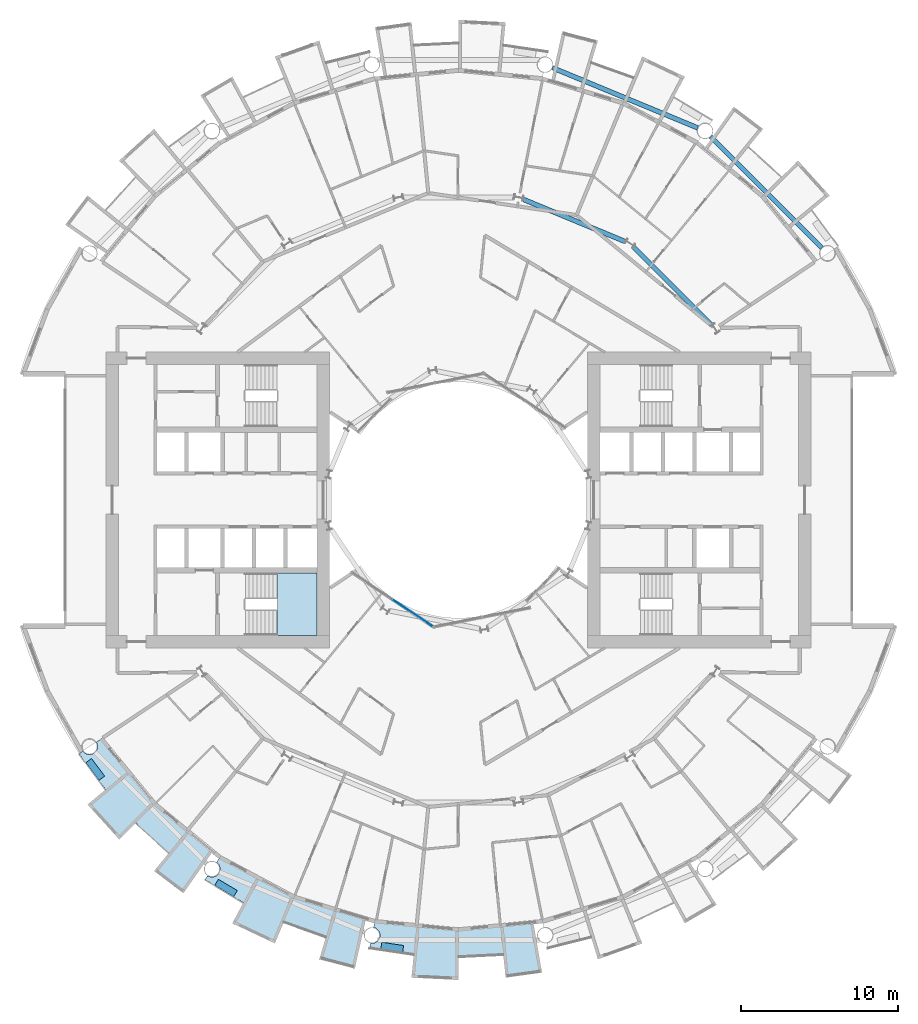
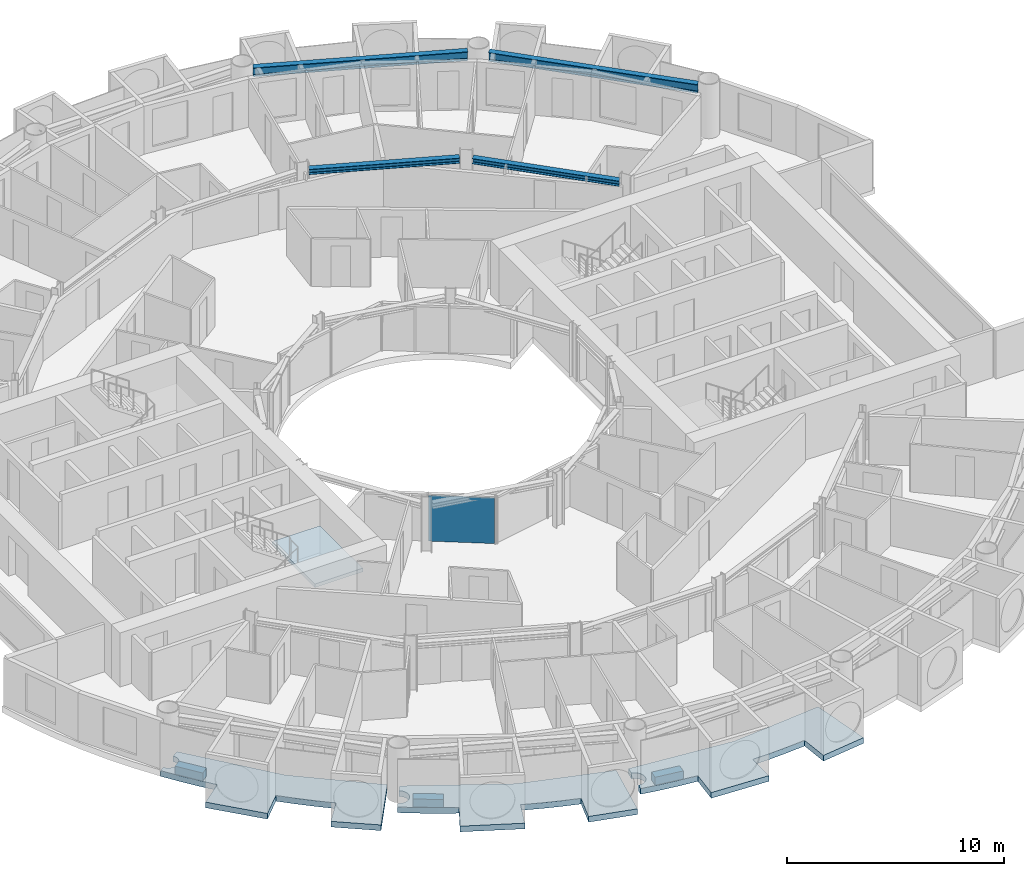
# One storey, part 9 of 26: 7 slabs, 4 beams, 1 plate, 2 elements without a shape of their own.
"""IFC4 building model written with IfcOpenShell, lengths in metres."""

from ifc_helpers import new_model, si_unit, direction, frame, origin, origin_2d, place, context, subcontext, project, spatial, polyline, rectangle, i_section, outline, extrude, material, layer, layer_set, material_profile, profile_set, type_object, element, aggregate, save


model = new_model("IFC4")

# Units and contexts
model_context = context("Model", 3, precision=1e-05, world=origin(), true_north=direction((0.0, 1.0)))
body_context = subcontext(model_context, "Body", "Model", "MODEL_VIEW")
ifc_project = project(units=[si_unit("LENGTHUNIT", "METRE"), si_unit("AREAUNIT", "SQUARE_METRE"), si_unit("VOLUMEUNIT", "CUBIC_METRE"), si_unit("PLANEANGLEUNIT", "RADIAN"), si_unit("MASSUNIT", "GRAM", prefix="KILO")], contexts=[model_context])

# Site, building, storey
site_placement = place(None, origin())
site = spatial("IfcSite", under=ifc_project, at=site_placement, CompositionType="ELEMENT")
building_placement = place(site_placement, origin())
building = spatial("IfcBuilding", under=site, at=building_placement, Name="Maasbend Ring Residences", CompositionType="ELEMENT")
storey_placement = place(building_placement, frame((0.0, 0.0, 50.25)))
storey = spatial("IfcBuildingStorey", under=building, at=storey_placement, Name="L14", CompositionType="ELEMENT", Elevation=50.25)

# Beams
ifc_material_1 = material(Name="Steel S355J2", Category="steel")
ifc_material_profile_1 = material_profile(ifc_material_1, i_section(OverallWidth=0.300048828125, OverallDepth=0.300048828125, WebThickness=0.010986328125, FlangeThickness=0.01904296875, FilletRadius=0.027099609375, at=origin_2d()), Name="HEB 300")
ifc_profile_set_1 = profile_set([ifc_material_profile_1], Name="Steel S355J2")
beam_type_1 = type_object("IfcBeamType", Name="Corridor ring beam HEB 300", PredefinedType="BEAM", material=ifc_profile_set_1)
beam_1_placement = place(storey_placement, frame((16.0732421875, 11.11279296875, 2.550048828125), z_axis=(-0.707106781187, 0.707106781187, 0.0), x_axis=(-0.707106781187, -0.707106781187, 0.0)))
element("IfcBeam", 1, at=beam_1_placement, inside=storey, type_object=beam_type_1, Name="Corridor ring beam", PredefinedType="BEAM", context=body_context, shape_type="SweptSolid", body=[
    extrude(i_section(OverallWidth=0.300048828125, OverallDepth=0.300048828125, WebThickness=0.010986328125, FlangeThickness=0.01904296875, FilletRadius=0.027099609375, at=origin_2d()), origin(), (0.0, 0.0, 1.0), 7.01513671875),
])
beam_2_placement = place(storey_placement, frame((10.59716796875, 16.417724609375, 2.550048828125), z_axis=(-0.923886196809, 0.38266734293, 0.0), x_axis=(-0.38266734293, -0.923886196809, 0.0)))
element("IfcBeam", 2, at=beam_2_placement, inside=storey, type_object=beam_type_1, Name="Corridor ring beam", PredefinedType="BEAM", context=body_context, shape_type="SweptSolid", body=[
    extrude(i_section(OverallWidth=0.300048828125, OverallDepth=0.300048828125, WebThickness=0.010986328125, FlangeThickness=0.01904296875, FilletRadius=0.027099609375, at=origin_2d()), origin(), (0.0, 0.0, 1.0), 7.015380859375),
])
ifc_material_2 = material(Name="Steel S355J2", Category="steel")
ifc_material_profile_2 = material_profile(ifc_material_2, i_section(OverallWidth=0.300048828125, OverallDepth=0.5, WebThickness=0.014404296875, FlangeThickness=0.028076171875, FilletRadius=0.027099609375, at=origin_2d()), Name="HEB 500")
ifc_profile_set_2 = profile_set([ifc_material_profile_2], Name="Steel S355J2")
beam_type_2 = type_object("IfcBeamType", Name="Spandrel ring beam HEB 500", PredefinedType="SPANDREL", material=ifc_profile_set_2)
beam_3_placement = place(storey_placement, frame((23.088134765625, 16.0263671875, 2.449951171875), z_axis=(-0.707106781187, 0.707106781187, 0.0), x_axis=(-0.707106781187, -0.707106781187, 0.0)))
element("IfcBeam", 3, at=beam_3_placement, inside=storey, type_object=beam_type_2, Name="Spandrel ring beam", PredefinedType="SPANDREL", context=body_context, shape_type="SweptSolid", body=[
    extrude(i_section(OverallWidth=0.300048828125, OverallDepth=0.5, WebThickness=0.014404296875, FlangeThickness=0.028076171875, FilletRadius=0.027099609375, at=origin_2d()), origin(), (0.0, 0.0, 1.0), 9.98681640625),
])
beam_4_placement = place(storey_placement, frame((15.19775390625, 23.641845703125, 2.449951171875), z_axis=(-0.923886337442, 0.382667003395, 0.0), x_axis=(-0.382667003395, -0.923886337442, 0.0)))
element("IfcBeam", 4, at=beam_4_placement, inside=storey, type_object=beam_type_2, Name="Spandrel ring beam", PredefinedType="SPANDREL", context=body_context, shape_type="SweptSolid", body=[
    extrude(i_section(OverallWidth=0.300048828125, OverallDepth=0.5, WebThickness=0.014404296875, FlangeThickness=0.028076171875, FilletRadius=0.027099609375, at=origin_2d()), origin(), (0.0, 0.0, 1.0), 9.9873046875),
])

# Stair, slab
ifc_material_3 = material(Name="Concrete C40/50", Category="concrete")
stair_type = type_object("IfcStairType", Name="CORE STAIR 18 RISERS", PredefinedType="HALF_TURN_STAIR", material=ifc_material_3)
stair_placement = place(storey_placement, origin())
stair = element("IfcStair", 5, at=stair_placement, inside=storey, type_object=stair_type, Name="L14 Exit stair ST-W1", PredefinedType="HALF_TURN_STAIR")
ifc_material_4 = material(Name="Concrete C40/50", Category="concrete")
ifc_layer_1 = layer(ifc_material_4, 0.199951171875)
ifc_layer_set_1 = layer_set([ifc_layer_1], Name="Concrete C40/50")
slab_type_1 = type_object("IfcSlabType", Name="CORE STAIR LANDING 200", PredefinedType="LANDING", material=ifc_layer_set_1)
slab_1_placement = place(storey_placement, frame((0.0, 0.0, 1.324951171875)))
slab_1 = element("IfcSlab", 6, at=slab_1_placement, type_object=slab_type_1, Name="ST-W1 landing 1", PredefinedType="LANDING", context=body_context, shape_type="SweptSolid", body=[
    extrude(outline(polyline([(-11.550048828125, -8.60009765625), (-9.0, -8.60009765625), (-9.0, -4.64990234375), (-11.550048828125, -4.64990234375), (-11.550048828125, -8.60009765625)])), origin(), (0.0, 0.0, 1.0), 0.199951171875),
])
aggregate(stair, [slab_1])

# Curtain wall, plate
ifc_material_5 = material(Name="Aluminium and clear glass", Category="aluminium")
ifc_layer_2 = layer(ifc_material_5, 0.179931640625)
ifc_layer_set_2 = layer_set([ifc_layer_2], Name="CW-W")
curtain_wall_type = type_object("IfcCurtainWallType", Name="CW-W", PredefinedType="NOTDEFINED", material=ifc_layer_set_2)
curtain_wall_placement = place(storey_placement, origin())
curtain_wall = element("IfcCurtainWall", 7, at=curtain_wall_placement, inside=storey, type_object=curtain_wall_type, Name="Well curtain wall S1", PredefinedType="NOTDEFINED")
ifc_material_6 = material(Name="Glass clear laminated", Category="glass")
ifc_layer_3 = layer(ifc_material_6, 0.031982421875)
ifc_layer_set_3 = layer_set([ifc_layer_3], Name="CWP-W")
plate_type = type_object("IfcPlateType", Name="CWP-W", PredefinedType="CURTAIN_PANEL", material=ifc_layer_set_3)
plate_placement = place(storey_placement, frame((-2.922119140625, -7.17578125, 0.0), z_axis=(0.0, 0.0, 1.0), x_axis=(0.831469612303, -0.55557023302, 0.0)))
plate = element("IfcPlate", 8, at=plate_placement, type_object=plate_type, Name="Glass panel well face", PredefinedType="CURTAIN_PANEL", context=body_context, shape_type="SweptSolid", body=[
    extrude(rectangle(XDim=3.053955078125, YDim=0.031982421875, at=origin_2d()), origin(), (0.0, 0.0, 1.0), 2.580078125),
])
aggregate(curtain_wall, [plate])

# Slabs
ifc_material_7 = material(Name="Planting with climbing greenery")
ifc_layer_4 = layer(ifc_material_7, 0.449951171875)
ifc_layer_set_4 = layer_set([ifc_layer_4], Name="PLANTER-LG")
slab_type_2 = type_object("IfcSlabType", Name="PLANTER-LG", PredefinedType="USERDEFINED", material=ifc_layer_set_4)
slab_2_placement = place(storey_placement, frame((0.0, 0.0, -0.030029296875)))
element("IfcSlab", 9, at=slab_2_placement, inside=storey, type_object=slab_type_2, Name="Planter with climbing greenery 1", ObjectType="PLANTER", PredefinedType="USERDEFINED", context=body_context, shape_type="SweptSolid", body=[
    extrude(outline(polyline([(-23.681884765625, -16.69189453125), (-22.847900390625, -17.81689453125), (-22.487060546875, -17.549072265625), (-23.321044921875, -16.424072265625), (-23.681884765625, -16.69189453125)])), origin(), (0.0, 0.0, 1.0), 0.449951171875),
])
slab_3_placement = place(storey_placement, frame((0.0, 0.0, -0.030029296875)))
element("IfcSlab", 10, at=slab_3_placement, inside=storey, type_object=slab_type_2, Name="Planter with climbing greenery 2", ObjectType="PLANTER", PredefinedType="USERDEFINED", context=body_context, shape_type="SweptSolid", body=[
    extrude(outline(polyline([(-15.490966796875, -24.48388671875), (-14.291015625, -25.2041015625), (-14.05908203125, -24.818115234375), (-15.260009765625, -24.097900390625), (-15.490966796875, -24.48388671875)])), origin(), (0.0, 0.0, 1.0), 0.449951171875),
])
slab_4_placement = place(storey_placement, frame((0.0, 0.0, -0.030029296875)))
element("IfcSlab", 11, at=slab_4_placement, inside=storey, type_object=slab_type_2, Name="Planter with climbing greenery 3", ObjectType="PLANTER", PredefinedType="USERDEFINED", context=body_context, shape_type="SweptSolid", body=[
    extrude(outline(polyline([(-4.94189453125, -28.549072265625), (-3.55810546875, -28.75390625), (-3.491943359375, -28.30908203125), (-4.8759765625, -28.10400390625), (-4.94189453125, -28.549072265625)])), origin(), (0.0, 0.0, 1.0), 0.449951171875),
])
ifc_material_8 = material(Name="Concrete C40/50", Category="concrete")
ifc_layer_5 = layer(ifc_material_8, 0.199951171875)
ifc_layer_set_5 = layer_set([ifc_layer_5], Name="Concrete C40/50")
slab_type_3 = type_object("IfcSlabType", Name="SL-LOGGIA", PredefinedType="FLOOR", material=ifc_layer_set_5)
slab_5_placement = place(storey_placement, frame((0.0, 0.0, -0.35009765625)))
element("IfcSlab", 12, at=slab_5_placement, inside=storey, type_object=slab_type_3, Name="Loggia floor 1", PredefinedType="FLOOR", context=body_context, shape_type="SweptSolid", body=[
    extrude(outline(polyline([(-15.9169921875, -23.888916015625), (-15.906982421875, -23.89501953125), (-15.89599609375, -23.90087890625), (-15.884033203125, -23.906982421875), (-15.873046875, -23.912109375), (-15.862060546875, -23.9169921875), (-15.85009765625, -23.9208984375), (-15.837890625, -23.926025390625), (-15.825927734375, -23.929931640625), (-15.81494140625, -23.93408203125), (-15.802978515625, -23.93701171875), (-15.791015625, -23.93994140625), (-15.778076171875, -23.943115234375), (-15.76611328125, -23.946044921875), (-15.75390625, -23.947998046875), (-15.741943359375, -23.949951171875), (-15.72900390625, -23.951904296875), (-15.717041015625, -23.952880859375), (-15.7041015625, -23.9541015625), (-15.69189453125, -23.955078125), (-15.679931640625, -23.955078125), (-15.6669921875, -23.955078125), (-15.655029296875, -23.955078125), (-15.64208984375, -23.955078125), (-15.6298828125, -23.9541015625), (-15.616943359375, -23.952880859375), (-15.60498046875, -23.951904296875), (-15.593017578125, -23.949951171875), (-15.580078125, -23.947998046875), (-15.568115234375, -23.946044921875), (-15.555908203125, -23.943115234375), (-15.5439453125, -23.93994140625), (-15.531982421875, -23.93701171875), (-15.52001953125, -23.93408203125), (-15.508056640625, -23.929931640625), (-15.49609375, -23.926025390625), (-15.48388671875, -23.9208984375), (-15.472900390625, -23.9169921875), (-15.4609375, -23.912109375), (-15.449951171875, -23.906982421875), (-15.43896484375, -23.90087890625), (-15.427978515625, -23.89501953125), (-15.4169921875, -23.888916015625), (-15.406005859375, -23.883056640625), (-15.39501953125, -23.876953125), (-15.385009765625, -23.8701171875), (-15.375, -23.863037109375), (-15.364013671875, -23.85498046875), (-15.35498046875, -23.847900390625), (-15.344970703125, -23.840087890625), (-15.3349609375, -23.83203125), (-15.325927734375, -23.823974609375), (-15.31689453125, -23.81494140625), (-15.30810546875, -23.806884765625), (-15.299072265625, -23.798095703125), (-15.291015625, -23.7890625), (-15.281982421875, -23.779052734375), (-15.27392578125, -23.77001953125), (-15.26708984375, -23.760009765625), (-15.259033203125, -23.75), (-15.251953125, -23.739990234375), (-15.2451171875, -23.72998046875), (-15.238037109375, -23.718994140625), (-15.23095703125, -23.708984375), (-15.22509765625, -23.697998046875), (-15.218994140625, -23.68701171875), (-15.212890625, -23.676025390625), (-15.2080078125, -23.6650390625), (-15.202880859375, -23.653076171875), (-15.197998046875, -23.64208984375), (-15.193115234375, -23.6298828125), (-15.18896484375, -23.618896484375), (-15.18505859375, -23.60693359375), (-15.180908203125, -23.594970703125), (-15.177978515625, -23.5830078125), (-15.174072265625, -23.571044921875), (-15.1708984375, -23.55908203125), (-15.1689453125, -23.547119140625), (-15.1669921875, -23.533935546875), (-15.1650390625, -23.52197265625), (-15.1630859375, -23.510009765625), (-15.162109375, -23.4970703125), (-15.159912109375, -23.485107421875), (-15.159912109375, -23.471923828125), (-15.158935546875, -23.4599609375), (-15.158935546875, -23.447021484375), (-15.158935546875, -23.43505859375), (-15.159912109375, -23.422119140625), (-15.159912109375, -23.409912109375), (-15.162109375, -23.39794921875), (-15.1630859375, -23.385009765625), (-15.1650390625, -23.373046875), (-15.1669921875, -23.361083984375), (-15.1689453125, -23.347900390625), (-15.1708984375, -23.3359375), (-15.174072265625, -23.323974609375), (-15.177978515625, -23.31201171875), (-15.180908203125, -23.300048828125), (-15.18505859375, -23.2880859375), (-15.18896484375, -23.27587890625), (-15.193115234375, -23.264892578125), (-15.197998046875, -23.2529296875), (-15.202880859375, -23.241943359375), (-15.2080078125, -23.22998046875), (-15.212890625, -23.218994140625), (-15.218994140625, -23.2080078125), (-15.22509765625, -23.197021484375), (-15.23095703125, -23.18603515625), (-15.238037109375, -23.176025390625), (-15.2451171875, -23.1650390625), (-15.251953125, -23.155029296875), (-15.259033203125, -23.14501953125), (-15.26708984375, -23.135009765625), (-15.27392578125, -23.125), (-15.281982421875, -23.115966796875), (-15.291015625, -23.10595703125), (-15.299072265625, -23.096923828125), (-15.30810546875, -23.087890625), (-15.31689453125, -23.0791015625), (-15.325927734375, -23.071044921875), (-15.3349609375, -23.06298828125), (-15.344970703125, -23.054931640625), (-15.35498046875, -23.047119140625), (-15.364013671875, -23.0390625), (-15.375, -23.031982421875), (-15.385009765625, -23.02490234375), (-15.1669921875, -22.698974609375), (-15.1669921875, -22.698974609375), (-15.1669921875, -22.698974609375), (-12.806884765625, -23.9609375), (-10.447021484375, -25.221923828125), (-10.447021484375, -25.221923828125), (-10.447021484375, -25.221923828125), (-7.886962890625, -25.9990234375), (-5.89111328125, -26.60400390625), (-5.89111328125, -26.60400390625), (-5.89111328125, -26.60400390625), (-6.593994140625, -29.779052734375), (-6.593994140625, -29.779052734375), (-6.593994140625, -29.779052734375), (-8.85400390625, -29.18701171875), (-8.85400390625, -29.18701171875), (-8.85400390625, -29.18701171875), (-8.41796875, -27.751953125), (-8.41796875, -27.751953125), (-8.41796875, -27.751953125), (-8.41796875, -27.751953125), (-8.41796875, -27.751953125), (-8.41796875, -27.751953125), (-8.41796875, -27.7509765625), (-8.41796875, -27.7509765625), (-8.41796875, -27.7509765625), (-8.41796875, -27.7509765625), (-8.41796875, -27.7509765625), (-8.4189453125, -27.7509765625), (-8.4189453125, -27.7509765625), (-8.4189453125, -27.7509765625), (-8.4189453125, -27.7509765625), (-8.4189453125, -27.7509765625), (-8.4189453125, -27.7509765625), (-9.322021484375, -27.4609375), (-9.322021484375, -27.4609375), (-10.215087890625, -27.14111328125), (-10.215087890625, -27.14111328125), (-11.096923828125, -26.79296875), (-11.096923828125, -26.79296875), (-11.096923828125, -26.79296875), (-11.097900390625, -26.79296875), (-11.097900390625, -26.79296875), (-11.097900390625, -26.79296875), (-11.097900390625, -26.79296875), (-11.097900390625, -26.79296875), (-11.097900390625, -26.79296875), (-11.097900390625, -26.79296875), (-11.097900390625, -26.79296875), (-11.097900390625, -26.79296875), (-11.097900390625, -26.79296875), (-11.097900390625, -26.79296875), (-11.097900390625, -26.79296875), (-11.097900390625, -26.79296875), (-11.097900390625, -26.79296875), (-11.672119140625, -28.177978515625), (-11.672119140625, -28.177978515625), (-11.672119140625, -28.177978515625), (-14.3779296875, -26.89892578125), (-14.3779296875, -26.89892578125), (-14.3779296875, -26.89892578125), (-13.6708984375, -25.575927734375), (-13.6708984375, -25.575927734375), (-13.6708984375, -25.575927734375), (-13.6708984375, -25.575927734375), (-13.6708984375, -25.575927734375), (-13.6708984375, -25.575927734375), (-13.6708984375, -25.575927734375), (-13.6708984375, -25.575927734375), (-13.6708984375, -25.575927734375), (-13.6708984375, -25.575927734375), (-13.6708984375, -25.575927734375), (-13.6708984375, -25.575927734375), (-13.6708984375, -25.575927734375), (-13.6708984375, -25.575927734375), (-13.6708984375, -25.575927734375), (-13.6708984375, -25.575927734375), (-13.6708984375, -25.574951171875), (-14.5, -25.114990234375), (-14.5, -25.114990234375), (-15.31396484375, -24.626953125), (-15.31396484375, -24.626953125), (-16.112060546875, -24.113037109375), (-16.112060546875, -24.113037109375), (-16.112060546875, -24.113037109375), (-15.948974609375, -23.8701171875), (-15.93896484375, -23.876953125), (-15.927978515625, -23.883056640625), (-15.9169921875, -23.888916015625)])), origin(), (0.0, 0.0, 1.0), 0.320068359375),
])
slab_6_placement = place(storey_placement, frame((0.0, 0.0, -0.35009765625)))
element("IfcSlab", 13, at=slab_6_placement, inside=storey, type_object=slab_type_3, Name="Loggia floor 3", PredefinedType="FLOOR", context=body_context, shape_type="SweptSolid", body=[
    extrude(outline(polyline([(-2.6630859375, -27.0380859375), (0.0, -27.300048828125), (0.0, -27.300048828125), (0.0, -27.300048828125), (2.6630859375, -27.0380859375), (4.739013671875, -26.8330078125), (4.739013671875, -26.8330078125), (4.739013671875, -26.8330078125), (5.303955078125, -30.034912109375), (5.303955078125, -30.034912109375), (5.303955078125, -30.034912109375), (2.989990234375, -30.35302734375), (2.989990234375, -30.35302734375), (2.989990234375, -30.35302734375), (2.843017578125, -28.861083984375), (2.843017578125, -28.861083984375), (2.843017578125, -28.861083984375), (2.843017578125, -28.861083984375), (2.842041015625, -28.861083984375), (2.842041015625, -28.861083984375), (2.842041015625, -28.861083984375), (2.842041015625, -28.861083984375), (2.842041015625, -28.861083984375), (2.842041015625, -28.860107421875), (2.842041015625, -28.860107421875), (2.842041015625, -28.860107421875), (2.842041015625, -28.860107421875), (2.842041015625, -28.860107421875), (2.842041015625, -28.860107421875), (2.842041015625, -28.860107421875), (2.842041015625, -28.860107421875), (1.89697265625, -28.93798828125), (1.89697265625, -28.93798828125), (0.948974609375, -28.98388671875), (0.948974609375, -28.98388671875), (0.0, -29.0), (0.0, -29.0), (0.0, -29.0), (0.0, -29.0), (0.0, -29.0), (0.0, -29.0), (0.0, -29.0), (0.0, -29.0), (0.0, -29.0), (0.0, -29.0), (0.0, -29.0), (0.0, -29.0), (0.0, -29.0), (0.0, -29.0), (0.0, -29.0), (0.0, -29.0), (0.0, -29.0), (0.0, -30.5), (0.0, -30.5), (0.0, -30.5), (-2.989990234375, -30.35302734375), (-2.989990234375, -30.35302734375), (-2.989990234375, -30.35302734375), (-2.843017578125, -28.861083984375), (-2.843017578125, -28.861083984375), (-2.843017578125, -28.861083984375), (-2.843017578125, -28.861083984375), (-2.843017578125, -28.861083984375), (-2.843017578125, -28.861083984375), (-2.843017578125, -28.861083984375), (-2.843017578125, -28.861083984375), (-2.843017578125, -28.860107421875), (-2.843017578125, -28.860107421875), (-2.843017578125, -28.860107421875), (-2.843017578125, -28.860107421875), (-2.843017578125, -28.860107421875), (-2.843017578125, -28.860107421875), (-2.843017578125, -28.860107421875), (-2.843017578125, -28.860107421875), (-2.843017578125, -28.860107421875), (-3.784912109375, -28.751953125), (-3.784912109375, -28.751953125), (-4.72412109375, -28.613037109375), (-4.72412109375, -28.613037109375), (-5.657958984375, -28.443115234375), (-5.657958984375, -28.443115234375), (-5.657958984375, -28.443115234375), (-5.60107421875, -28.156005859375), (-5.60107421875, -28.156005859375), (-5.587890625, -28.158935546875), (-5.575927734375, -28.160888671875), (-5.56396484375, -28.162109375), (-5.551025390625, -28.1640625), (-5.5390625, -28.1650390625), (-5.52587890625, -28.1650390625), (-5.513916015625, -28.166015625), (-5.501953125, -28.166015625), (-5.489013671875, -28.166015625), (-5.47705078125, -28.1650390625), (-5.464111328125, -28.1650390625), (-5.451904296875, -28.1640625), (-5.43896484375, -28.162109375), (-5.427001953125, -28.160888671875), (-5.4150390625, -28.158935546875), (-5.402099609375, -28.156005859375), (-5.389892578125, -28.154052734375), (-5.3779296875, -28.15087890625), (-5.365966796875, -28.14794921875), (-5.35400390625, -28.14404296875), (-5.342041015625, -28.139892578125), (-5.330078125, -28.135986328125), (-5.319091796875, -28.132080078125), (-5.306884765625, -28.126953125), (-5.2958984375, -28.123046875), (-5.283935546875, -28.116943359375), (-5.27294921875, -28.112060546875), (-5.261962890625, -28.10595703125), (-5.2509765625, -28.10009765625), (-5.239990234375, -28.093994140625), (-5.22998046875, -28.0869140625), (-5.218994140625, -28.080078125), (-5.208984375, -28.072998046875), (-5.198974609375, -28.06591796875), (-5.18896484375, -28.05908203125), (-5.178955078125, -28.051025390625), (-5.169921875, -28.04296875), (-5.159912109375, -28.034912109375), (-5.15087890625, -28.02587890625), (-5.14208984375, -28.01708984375), (-5.134033203125, -28.008056640625), (-5.125, -27.9990234375), (-5.116943359375, -27.989990234375), (-5.10888671875, -27.97998046875), (-5.10107421875, -27.970947265625), (-5.093017578125, -27.9609375), (-5.0859375, -27.950927734375), (-5.0791015625, -27.93994140625), (-5.072021484375, -27.929931640625), (-5.06591796875, -27.9189453125), (-5.05908203125, -27.907958984375), (-5.052978515625, -27.89794921875), (-5.048095703125, -27.886962890625), (-5.0419921875, -27.875), (-5.037109375, -27.864013671875), (-5.031982421875, -27.85302734375), (-5.028076171875, -27.841064453125), (-5.02294921875, -27.8291015625), (-5.01904296875, -27.81689453125), (-5.014892578125, -27.805908203125), (-5.011962890625, -27.7939453125), (-5.009033203125, -27.781982421875), (-5.006103515625, -27.76904296875), (-5.0029296875, -27.757080078125), (-5.0009765625, -27.7451171875), (-4.9990234375, -27.73291015625), (-4.9970703125, -27.719970703125), (-4.99609375, -27.7080078125), (-4.9951171875, -27.695068359375), (-4.993896484375, -27.68310546875), (-4.993896484375, -27.6708984375), (-4.993896484375, -27.657958984375), (-4.993896484375, -27.64599609375), (-4.993896484375, -27.633056640625), (-4.9951171875, -27.62109375), (-4.99609375, -27.60791015625), (-4.9970703125, -27.595947265625), (-4.9990234375, -27.583984375), (-5.0009765625, -27.571044921875), (-5.0029296875, -27.55908203125), (-5.006103515625, -27.547119140625), (-5.009033203125, -27.534912109375), (-5.011962890625, -27.52294921875), (-5.014892578125, -27.510986328125), (-5.01904296875, -27.4990234375), (-5.02294921875, -27.487060546875), (-5.028076171875, -27.47509765625), (-5.031982421875, -27.464111328125), (-5.037109375, -27.451904296875), (-5.0419921875, -27.44091796875), (-5.048095703125, -27.429931640625), (-5.052978515625, -27.4189453125), (-5.05908203125, -27.407958984375), (-5.06591796875, -27.39697265625), (-5.072021484375, -27.385986328125), (-5.0791015625, -27.3759765625), (-5.0859375, -27.365966796875), (-5.093017578125, -27.35498046875), (-5.10107421875, -27.345947265625), (-5.10888671875, -27.3359375), (-5.116943359375, -27.325927734375), (-5.125, -27.31689453125), (-5.134033203125, -27.30810546875), (-5.14208984375, -27.299072265625), (-5.15087890625, -27.2900390625), (-5.159912109375, -27.281982421875), (-5.169921875, -27.27294921875), (-5.178955078125, -27.264892578125), (-5.18896484375, -27.258056640625), (-5.198974609375, -27.25), (-5.208984375, -27.242919921875), (-5.218994140625, -27.236083984375), (-5.22998046875, -27.22900390625), (-5.239990234375, -27.221923828125), (-5.2509765625, -27.216064453125), (-5.261962890625, -27.2099609375), (-5.27294921875, -27.2041015625), (-5.283935546875, -27.198974609375), (-5.2958984375, -27.194091796875), (-5.306884765625, -27.18896484375), (-5.319091796875, -27.18408203125), (-5.330078125, -27.179931640625), (-5.342041015625, -27.176025390625), (-5.35400390625, -27.172119140625), (-5.365966796875, -27.1689453125), (-5.3779296875, -27.1650390625), (-5.389892578125, -27.162109375), (-5.402099609375, -27.159912109375), (-5.402099609375, -27.159912109375), (-5.325927734375, -26.77490234375), (-5.325927734375, -26.77490234375), (-5.325927734375, -26.77490234375), (-2.6630859375, -27.0380859375)])), origin(), (0.0, 0.0, 1.0), 0.320068359375),
])
slab_7_placement = place(storey_placement, frame((0.0, 0.0, -0.35009765625)))
element("IfcSlab", 14, at=slab_7_placement, inside=storey, type_object=slab_type_3, Name="Loggia floor 4", PredefinedType="FLOOR", context=body_context, shape_type="SweptSolid", body=[
    extrude(outline(polyline([(-23.85498046875, -15.969970703125), (-23.847900390625, -15.97998046875), (-23.840087890625, -15.989013671875), (-23.83203125, -15.9990234375), (-23.823974609375, -16.008056640625), (-23.81494140625, -16.01708984375), (-23.806884765625, -16.02587890625), (-23.798095703125, -16.034912109375), (-23.7890625, -16.0439453125), (-23.779052734375, -16.052001953125), (-23.77001953125, -16.06005859375), (-23.760009765625, -16.068115234375), (-23.75, -16.074951171875), (-23.739990234375, -16.08203125), (-23.72998046875, -16.089111328125), (-23.718994140625, -16.095947265625), (-23.708984375, -16.10302734375), (-23.697998046875, -16.10888671875), (-23.68701171875, -16.114990234375), (-23.676025390625, -16.12109375), (-23.6650390625, -16.1259765625), (-23.653076171875, -16.132080078125), (-23.64208984375, -16.135986328125), (-23.6298828125, -16.14111328125), (-23.618896484375, -16.14501953125), (-23.60693359375, -16.14892578125), (-23.594970703125, -16.153076171875), (-23.5830078125, -16.156982421875), (-23.571044921875, -16.159912109375), (-23.55908203125, -16.1630859375), (-23.547119140625, -16.1650390625), (-23.533935546875, -16.16796875), (-23.52197265625, -16.169921875), (-23.510009765625, -16.1708984375), (-23.4970703125, -16.173095703125), (-23.485107421875, -16.174072265625), (-23.471923828125, -16.174072265625), (-23.4599609375, -16.175048828125), (-23.447021484375, -16.175048828125), (-23.43505859375, -16.175048828125), (-23.422119140625, -16.174072265625), (-23.409912109375, -16.174072265625), (-23.39794921875, -16.173095703125), (-23.385009765625, -16.1708984375), (-23.373046875, -16.169921875), (-23.361083984375, -16.16796875), (-23.347900390625, -16.1650390625), (-23.3359375, -16.1630859375), (-23.323974609375, -16.159912109375), (-23.31201171875, -16.156982421875), (-23.300048828125, -16.153076171875), (-23.2880859375, -16.14892578125), (-23.27587890625, -16.14501953125), (-23.264892578125, -16.14111328125), (-23.2529296875, -16.135986328125), (-23.241943359375, -16.132080078125), (-23.22998046875, -16.1259765625), (-23.218994140625, -16.12109375), (-23.2080078125, -16.114990234375), (-23.197021484375, -16.10888671875), (-23.18603515625, -16.10302734375), (-23.176025390625, -16.095947265625), (-23.1650390625, -16.089111328125), (-23.155029296875, -16.08203125), (-23.14501953125, -16.074951171875), (-23.135009765625, -16.068115234375), (-23.125, -16.06005859375), (-23.115966796875, -16.052001953125), (-23.10595703125, -16.0439453125), (-23.096923828125, -16.034912109375), (-23.087890625, -16.02587890625), (-23.0791015625, -16.01708984375), (-23.071044921875, -16.008056640625), (-23.06298828125, -15.9990234375), (-23.054931640625, -15.989013671875), (-23.047119140625, -15.97998046875), (-23.0390625, -15.969970703125), (-23.031982421875, -15.9599609375), (-23.02490234375, -15.948974609375), (-23.01806640625, -15.93896484375), (-23.011962890625, -15.927978515625), (-23.0048828125, -15.9169921875), (-22.9990234375, -15.906982421875), (-22.993896484375, -15.89599609375), (-22.988037109375, -15.884033203125), (-22.98291015625, -15.873046875), (-22.97802734375, -15.862060546875), (-22.972900390625, -15.85009765625), (-22.968994140625, -15.837890625), (-22.965087890625, -15.825927734375), (-22.9609375, -15.81494140625), (-22.9580078125, -15.802978515625), (-22.955078125, -15.791015625), (-22.951904296875, -15.778076171875), (-22.948974609375, -15.76611328125), (-22.947021484375, -15.75390625), (-22.945068359375, -15.741943359375), (-22.943115234375, -15.72900390625), (-22.94189453125, -15.717041015625), (-22.94091796875, -15.7041015625), (-22.93994140625, -15.69189453125), (-22.93994140625, -15.679931640625), (-22.93896484375, -15.6669921875), (-22.93994140625, -15.655029296875), (-22.93994140625, -15.64208984375), (-22.94091796875, -15.6298828125), (-22.94189453125, -15.616943359375), (-22.943115234375, -15.60498046875), (-22.945068359375, -15.593017578125), (-22.947021484375, -15.580078125), (-22.948974609375, -15.568115234375), (-22.951904296875, -15.555908203125), (-22.955078125, -15.5439453125), (-22.9580078125, -15.531982421875), (-22.9609375, -15.52001953125), (-22.965087890625, -15.508056640625), (-22.968994140625, -15.49609375), (-22.972900390625, -15.48388671875), (-22.97802734375, -15.472900390625), (-22.98291015625, -15.4609375), (-22.988037109375, -15.449951171875), (-22.993896484375, -15.43896484375), (-22.9990234375, -15.427978515625), (-23.0048828125, -15.4169921875), (-23.011962890625, -15.406005859375), (-23.01806640625, -15.39501953125), (-23.02490234375, -15.385009765625), (-23.02490234375, -15.385009765625), (-22.698974609375, -15.1669921875), (-22.698974609375, -15.1669921875), (-22.698974609375, -15.1669921875), (-21.001953125, -17.236083984375), (-19.303955078125, -19.303955078125), (-19.303955078125, -19.303955078125), (-19.303955078125, -19.303955078125), (-17.236083984375, -21.001953125), (-15.623046875, -22.324951171875), (-15.623046875, -22.324951171875), (-15.623046875, -22.324951171875), (-17.488037109375, -24.989013671875), (-17.488037109375, -24.989013671875), (-17.488037109375, -24.989013671875), (-19.34912109375, -23.576904296875), (-19.34912109375, -23.576904296875), (-19.34912109375, -23.576904296875), (-18.39794921875, -22.41796875), (-18.39794921875, -22.41796875), (-18.39794921875, -22.41796875), (-18.39794921875, -22.41796875), (-18.39794921875, -22.41796875), (-18.39794921875, -22.4169921875), (-18.39794921875, -22.4169921875), (-18.39794921875, -22.4169921875), (-18.39794921875, -22.4169921875), (-18.39794921875, -22.4169921875), (-18.39794921875, -22.4169921875), (-18.39794921875, -22.4169921875), (-18.39794921875, -22.4169921875), (-18.39794921875, -22.4169921875), (-18.39794921875, -22.4169921875), (-18.39794921875, -22.4169921875), (-18.39794921875, -22.4169921875), (-19.12109375, -21.802978515625), (-19.12109375, -21.802978515625), (-19.823974609375, -21.166015625), (-19.823974609375, -21.166015625), (-20.506103515625, -20.506103515625), (-20.506103515625, -20.506103515625), (-20.506103515625, -20.506103515625), (-20.506103515625, -20.506103515625), (-20.506103515625, -20.506103515625), (-20.506103515625, -20.506103515625), (-20.506103515625, -20.506103515625), (-20.506103515625, -20.506103515625), (-20.506103515625, -20.506103515625), (-20.506103515625, -20.506103515625), (-20.506103515625, -20.506103515625), (-20.506103515625, -20.506103515625), (-20.506103515625, -20.506103515625), (-20.506103515625, -20.506103515625), (-20.506103515625, -20.506103515625), (-20.506103515625, -20.506103515625), (-20.506103515625, -20.506103515625), (-21.56689453125, -21.56689453125), (-21.56689453125, -21.56689453125), (-21.56689453125, -21.56689453125), (-23.576904296875, -19.34912109375), (-23.576904296875, -19.34912109375), (-23.576904296875, -19.34912109375), (-22.41796875, -18.39794921875), (-22.41796875, -18.39794921875), (-22.41796875, -18.39794921875), (-22.41796875, -18.39794921875), (-22.41796875, -18.39794921875), (-22.41796875, -18.39794921875), (-22.41796875, -18.39697265625), (-22.41796875, -18.39697265625), (-22.41796875, -18.39697265625), (-22.41796875, -18.39697265625), (-22.41796875, -18.39697265625), (-22.41796875, -18.39697265625), (-22.41796875, -18.39697265625), (-22.41796875, -18.39697265625), (-22.41796875, -18.39697265625), (-22.41796875, -18.39697265625), (-22.41796875, -18.39697265625), (-23.007080078125, -17.654052734375), (-23.007080078125, -17.654052734375), (-23.572998046875, -16.89208984375), (-23.572998046875, -16.89208984375), (-24.113037109375, -16.112060546875), (-24.113037109375, -16.112060546875), (-24.113037109375, -16.112060546875), (-23.8701171875, -15.948974609375), (-23.8701171875, -15.948974609375), (-23.863037109375, -15.9599609375), (-23.85498046875, -15.969970703125)])), origin(), (0.0, 0.0, 1.0), 0.320068359375),
])

save(model, "model.ifc")
